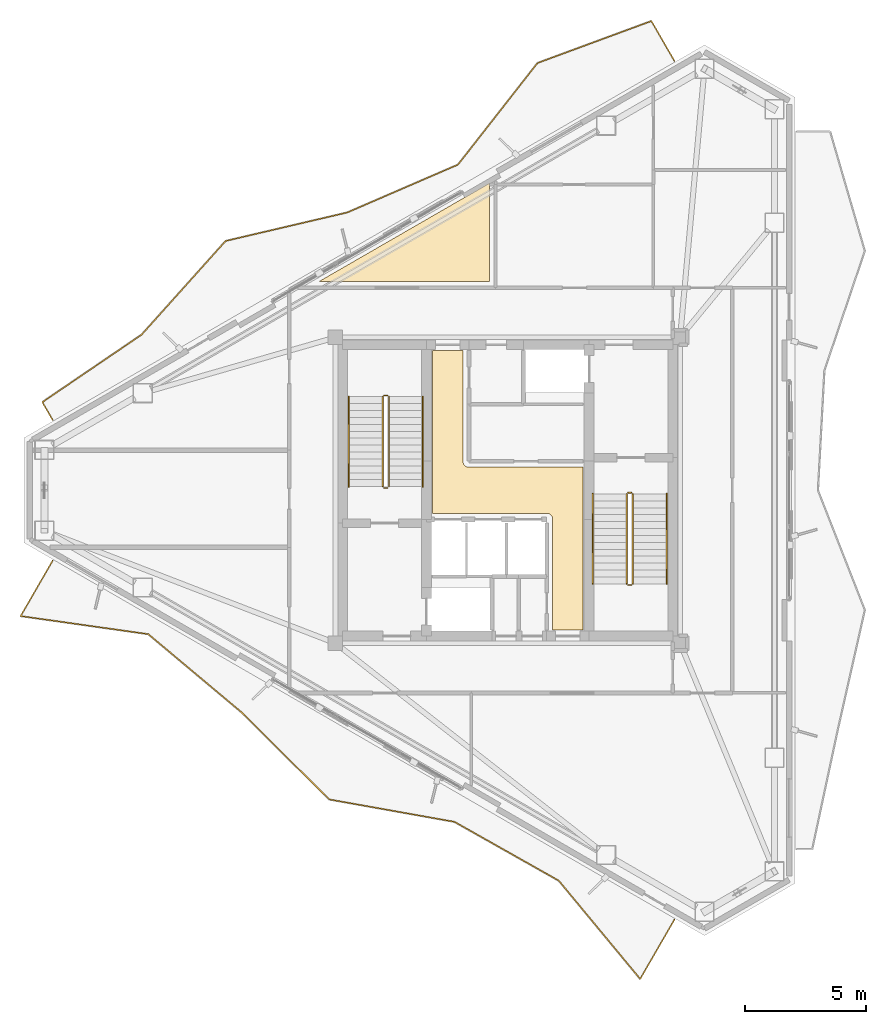
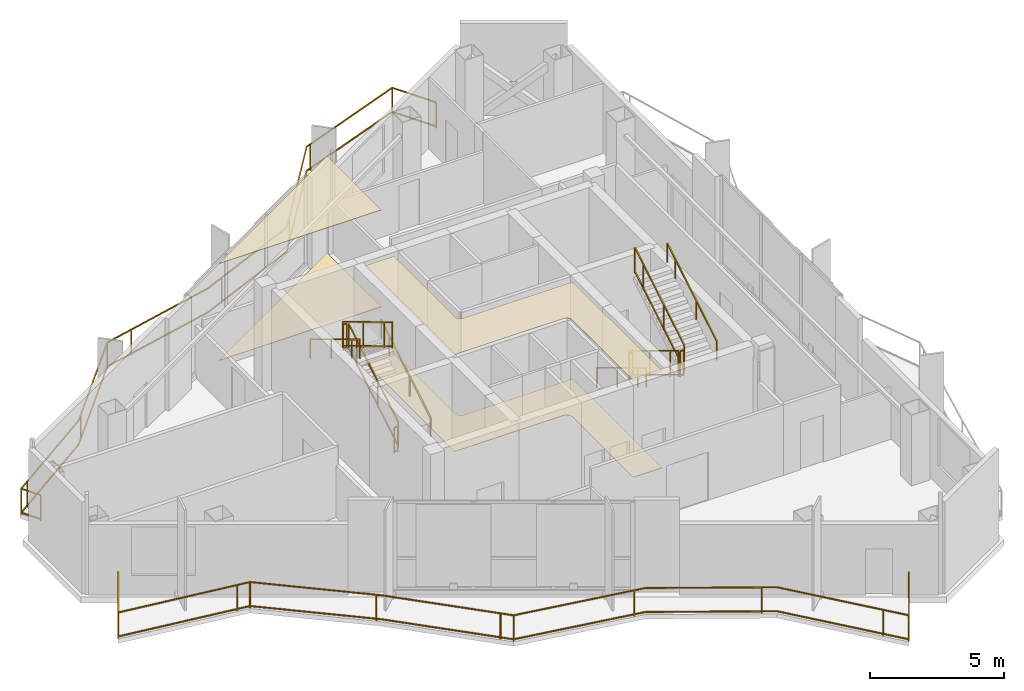
# One storey, part 14 of 15: 14 railings, 4 coverings.
"""IFC4 building model written with IfcOpenShell, lengths in metres."""

from ifc_helpers import new_model, si_unit, direction, frame, origin, origin_2d, place, context, subcontext, project, spatial, polyline, rectangle, outline, extrude, material, layer, layer_set, type_object, element, save


model = new_model("IFC4")

# Units and contexts
model_context = context("Model", 3, precision=1e-05, world=origin(), true_north=direction((0.0, 1.0)))
body_context = subcontext(model_context, "Body", "Model", "MODEL_VIEW")
ifc_project = project(units=[si_unit("LENGTHUNIT", "METRE"), si_unit("AREAUNIT", "SQUARE_METRE"), si_unit("VOLUMEUNIT", "CUBIC_METRE"), si_unit("PLANEANGLEUNIT", "RADIAN"), si_unit("MASSUNIT", "GRAM", prefix="KILO")], contexts=[model_context])

# Site, building, storey
site_placement = place(None, origin())
site = spatial("IfcSite", under=ifc_project, at=site_placement, CompositionType="ELEMENT")
building_placement = place(site_placement, origin())
building = spatial("IfcBuilding", under=site, at=building_placement, Name="Mersakhor Tower and Convention Hall", CompositionType="ELEMENT")
storey_placement = place(building_placement, frame((0.0, 0.0, 218.39990234375)))
storey = spatial("IfcBuildingStorey", under=building, at=storey_placement, Name="L61", CompositionType="ELEMENT", Elevation=218.39990234375)

# Coverings
ifc_material_1 = material(Name="Acoustic mineral-fibre suspended ceiling", Category="other")
ifc_layer_1 = layer(ifc_material_1, 0.02490234375)
ifc_layer_set_1 = layer_set([ifc_layer_1], Name="Acoustic mineral-fibre suspended ceiling")
covering_type_1 = type_object("IfcCoveringType", Name="COV-CLG-25", PredefinedType="CEILING", material=ifc_layer_set_1)
covering_1_placement = place(storey_placement, frame((0.0, 0.0, 4.420166015625)))
element("IfcCovering", 1, at=covering_1_placement, inside=storey, type_object=covering_type_1, Name="L61 Central Passenger Lift Lobby Acoustic Suspended Ceiling", PredefinedType="CEILING", context=body_context, shape_type="SweptSolid", body=[
    extrude(outline(polyline([(30.85009765625, 21.0), (30.85009765625, 25.550048828125), (30.848876953125, 25.574462890625), (30.84521484375, 25.598876953125), (30.839111328125, 25.62255859375), (30.8310546875, 25.645751953125), (30.820556640625, 25.667724609375), (30.807861328125, 25.68896484375), (30.793212890625, 25.70849609375), (30.77685546875, 25.726806640625), (30.758544921875, 25.743408203125), (30.739013671875, 25.7578125), (30.7177734375, 25.7705078125), (30.69580078125, 25.781005859375), (30.672607421875, 25.789306640625), (30.648681640625, 25.795166015625), (30.62451171875, 25.798828125), (30.60009765625, 25.800048828125), (25.89990234375, 25.800048828125), (25.89990234375, 32.5), (27.14990234375, 32.5), (27.14990234375, 27.949951171875), (27.151123046875, 27.925537109375), (27.15478515625, 27.901123046875), (27.160888671875, 27.87744140625), (27.1689453125, 27.854248046875), (27.179443359375, 27.832275390625), (27.192138671875, 27.81103515625), (27.206787109375, 27.79150390625), (27.22314453125, 27.773193359375), (27.241455078125, 27.756591796875), (27.260986328125, 27.7421875), (27.2822265625, 27.7294921875), (27.30419921875, 27.718994140625), (27.327392578125, 27.710693359375), (27.351318359375, 27.704833984375), (27.37548828125, 27.701171875), (27.39990234375, 27.699951171875), (32.10009765625, 27.699951171875), (32.10009765625, 21.0), (30.85009765625, 21.0)])), origin(), (0.0, 0.0, 1.0), 0.02490234375),
])
covering_2_placement = place(storey_placement, frame((0.0, 0.0, 4.420166015625)))
element("IfcCovering", 2, at=covering_2_placement, inside=storey, type_object=covering_type_1, Name="L61 Upper Zone Residents Music and Games Room Acoustic Suspended Ceiling", PredefinedType="CEILING", context=body_context, shape_type="SweptSolid", body=[
    extrude(outline(polyline([(28.25, 39.408935546875), (28.25, 35.35009765625), (21.218994140625, 35.35009765625), (28.25, 39.408935546875)])), origin(), (0.0, 0.0, 1.0), 0.02490234375),
])
ifc_material_2 = material(Name="Polished porcelain tile flooring", Category="other")
ifc_layer_2 = layer(ifc_material_2, 0.02001953125)
ifc_layer_set_2 = layer_set([ifc_layer_2], Name="Polished porcelain tile flooring")
covering_type_2 = type_object("IfcCoveringType", Name="COV-FLR-20", PredefinedType="FLOORING", material=ifc_layer_set_2)
covering_3_placement = place(storey_placement, origin())
element("IfcCovering", 3, at=covering_3_placement, inside=storey, type_object=covering_type_2, Name="L61 Central Passenger Lift Lobby Porcelain Floor Finish", PredefinedType="FLOORING", context=body_context, shape_type="SweptSolid", body=[
    extrude(outline(polyline([(30.85009765625, 21.0), (30.85009765625, 25.550048828125), (30.848876953125, 25.574462890625), (30.84521484375, 25.598876953125), (30.839111328125, 25.62255859375), (30.8310546875, 25.645751953125), (30.820556640625, 25.667724609375), (30.807861328125, 25.68896484375), (30.793212890625, 25.70849609375), (30.77685546875, 25.726806640625), (30.758544921875, 25.743408203125), (30.739013671875, 25.7578125), (30.7177734375, 25.7705078125), (30.69580078125, 25.781005859375), (30.672607421875, 25.789306640625), (30.648681640625, 25.795166015625), (30.62451171875, 25.798828125), (30.60009765625, 25.800048828125), (25.89990234375, 25.800048828125), (25.89990234375, 32.5), (27.14990234375, 32.5), (27.14990234375, 27.949951171875), (27.151123046875, 27.925537109375), (27.15478515625, 27.901123046875), (27.160888671875, 27.87744140625), (27.1689453125, 27.854248046875), (27.179443359375, 27.832275390625), (27.192138671875, 27.81103515625), (27.206787109375, 27.79150390625), (27.22314453125, 27.773193359375), (27.241455078125, 27.756591796875), (27.260986328125, 27.7421875), (27.2822265625, 27.7294921875), (27.30419921875, 27.718994140625), (27.327392578125, 27.710693359375), (27.351318359375, 27.704833984375), (27.37548828125, 27.701171875), (27.39990234375, 27.699951171875), (32.10009765625, 27.699951171875), (32.10009765625, 21.0), (30.85009765625, 21.0)])), origin(), (0.0, 0.0, 1.0), 0.02001953125),
])
covering_4_placement = place(storey_placement, origin())
element("IfcCovering", 4, at=covering_4_placement, inside=storey, type_object=covering_type_2, Name="L61 Upper Zone Residents Music and Games Room Porcelain Floor Finish", PredefinedType="FLOORING", context=body_context, shape_type="SweptSolid", body=[
    extrude(outline(polyline([(28.25, 39.408935546875), (28.25, 35.35009765625), (21.218994140625, 35.35009765625), (28.25, 39.408935546875)])), origin(), (0.0, 0.0, 1.0), 0.02001953125),
])

# Railings
ifc_material_3 = material(Name="Powder-coated galvanised steel and laminated glass balustrade", Category="steel")
railing_type_1 = type_object("IfcRailingType", Name="RL-BAL-1200", PredefinedType="BALUSTRADE", material=ifc_material_3)
railing_1_placement = place(storey_placement, frame((35.86669921875, 44.44189453125, 0.0)))
element("IfcRailing", 5, at=railing_1_placement, inside=storey, type_object=railing_type_1, Name="L61 Sinusoidal Balcony Balustrade F1", PredefinedType="BALUSTRADE", context=body_context, shape_type="SweptSolid", body=[
    extrude(rectangle(XDim=0.048095703125, YDim=0.048095703125, at=origin_2d()), frame((0.0, 0.0, 1.17578125), z_axis=(-0.499975093369, 0.866039783157, 0.0), x_axis=(-0.866039783157, -0.499975093369, 0.0)), (0.0, 0.0, 1.0), 1.89599609375),
    extrude(rectangle(XDim=0.048095703125, YDim=0.048095703125, at=origin_2d()), frame((0.0, 0.0, 0.080078125), z_axis=(-0.499975093369, 0.866039783157, 0.0), x_axis=(-0.866039783157, -0.499975093369, 0.0)), (0.0, 0.0, 1.0), 1.89599609375),
    extrude(rectangle(XDim=0.048095703125, YDim=0.048095703125, at=origin_2d()), frame((-0.947998046875, 1.64208984375, 1.17578125), z_axis=(-0.938307289894, -0.345802587804, 0.0), x_axis=(0.345802587804, -0.938307289894, 0.0)), (0.0, 0.0, 1.0), 5.00341796875),
    extrude(rectangle(XDim=0.048095703125, YDim=0.048095703125, at=origin_2d()), frame((-0.947998046875, 1.64208984375, 0.080078125), z_axis=(-0.938307289894, -0.345802587804, 0.0), x_axis=(0.345802587804, -0.938307289894, 0.0)), (0.0, 0.0, 1.0), 5.00341796875),
    extrude(rectangle(XDim=0.048095703125, YDim=0.048095703125, at=origin_2d()), frame((-5.642822265625, -0.088134765625, 1.17578125), z_axis=(-0.616207963578, -0.787583484859, 0.0), x_axis=(0.787583484859, -0.616207963578, 0.0)), (0.0, 0.0, 1.0), 5.316650390625),
    extrude(rectangle(XDim=0.048095703125, YDim=0.048095703125, at=origin_2d()), frame((-5.642822265625, -0.088134765625, 0.080078125), z_axis=(-0.616207963578, -0.787583484859, 0.0), x_axis=(0.787583484859, -0.616207963578, 0.0)), (0.0, 0.0, 1.0), 5.316650390625),
    extrude(rectangle(XDim=0.048095703125, YDim=0.048095703125, at=origin_2d()), frame((-8.9189453125, -4.275390625, 1.17578125), z_axis=(-0.917927237931, -0.396748769202, 0.0), x_axis=(0.396748769202, -0.917927237931, 0.0)), (0.0, 0.0, 1.0), 4.964111328125),
    extrude(rectangle(XDim=0.048095703125, YDim=0.048095703125, at=origin_2d()), frame((-8.9189453125, -4.275390625, 0.080078125), z_axis=(-0.917927237931, -0.396748769202, 0.0), x_axis=(0.396748769202, -0.917927237931, 0.0)), (0.0, 0.0, 1.0), 4.964111328125),
    extrude(rectangle(XDim=0.048095703125, YDim=0.048095703125, at=origin_2d()), frame((-13.4755859375, -6.244873046875, 1.17578125), z_axis=(-0.973658412064, -0.228011615092, 0.0), x_axis=(0.228011615092, -0.973658412064, 0.0)), (0.0, 0.0, 1.0), 5.1513671875),
    extrude(rectangle(XDim=0.048095703125, YDim=0.048095703125, at=origin_2d()), frame((-13.4755859375, -6.244873046875, 0.080078125), z_axis=(-0.973658412064, -0.228011615092, 0.0), x_axis=(0.228011615092, -0.973658412064, 0.0)), (0.0, 0.0, 1.0), 5.1513671875),
    extrude(rectangle(XDim=0.048095703125, YDim=0.048095703125, at=origin_2d()), frame((-18.4912109375, -7.41943359375, 1.17578125), z_axis=(-0.667614281747, -0.744507334287, 0.0), x_axis=(0.744507334287, -0.667614281747, 0.0)), (0.0, 0.0, 1.0), 5.18798828125),
    extrude(rectangle(XDim=0.048095703125, YDim=0.048095703125, at=origin_2d()), frame((-18.4912109375, -7.41943359375, 0.080078125), z_axis=(-0.667614281747, -0.744507334287, 0.0), x_axis=(0.744507334287, -0.667614281747, 0.0)), (0.0, 0.0, 1.0), 5.18798828125),
    extrude(rectangle(XDim=0.048095703125, YDim=0.048095703125, at=origin_2d()), frame((-21.954833984375, -11.281982421875, 1.17578125), z_axis=(-0.82704863342, -0.562130374521, 0.0), x_axis=(0.562130374521, -0.82704863342, 0.0)), (0.0, 0.0, 1.0), 4.9443359375),
    extrude(rectangle(XDim=0.048095703125, YDim=0.048095703125, at=origin_2d()), frame((-21.954833984375, -11.281982421875, 0.080078125), z_axis=(-0.82704863342, -0.562130374521, 0.0), x_axis=(0.562130374521, -0.82704863342, 0.0)), (0.0, 0.0, 1.0), 4.9443359375),
    extrude(rectangle(XDim=0.048095703125, YDim=0.048095703125, at=origin_2d()), frame((-26.0439453125, -14.061279296875, 1.17578125), z_axis=(0.499964420222, -0.866045944804, 0.0), x_axis=(0.866045944804, 0.499964420222, 0.0)), (0.0, 0.0, 1.0), 0.84423828125),
    extrude(rectangle(XDim=0.048095703125, YDim=0.048095703125, at=origin_2d()), frame((-26.0439453125, -14.061279296875, 0.080078125), z_axis=(0.499964420222, -0.866045944804, 0.0), x_axis=(0.866045944804, 0.499964420222, 0.0)), (0.0, 0.0, 1.0), 0.84423828125),
    extrude(rectangle(XDim=0.0419921875, YDim=0.0419921875, at=origin_2d()), origin(), (0.0, 0.0, 1.0), 1.15185546875),
    extrude(rectangle(XDim=0.0419921875, YDim=0.0419921875, at=origin_2d()), frame((-0.947998046875, 1.64208984375, 0.0)), (0.0, 0.0, 1.0), 1.15185546875),
    extrude(rectangle(XDim=0.0419921875, YDim=0.0419921875, at=origin_2d()), frame((-5.451904296875, -0.017822265625, 0.0)), (0.0, 0.0, 1.0), 1.15185546875),
    extrude(rectangle(XDim=0.0419921875, YDim=0.0419921875, at=origin_2d()), frame((-8.475341796875, -3.708251953125, 0.0)), (0.0, 0.0, 1.0), 1.15185546875),
    extrude(rectangle(XDim=0.0419921875, YDim=0.0419921875, at=origin_2d()), frame((-12.6640625, -5.89404296875, 0.0)), (0.0, 0.0, 1.0), 1.15185546875),
    extrude(rectangle(XDim=0.0419921875, YDim=0.0419921875, at=origin_2d()), frame((-17.288330078125, -7.1376953125, 0.0)), (0.0, 0.0, 1.0), 1.15185546875),
    extrude(rectangle(XDim=0.0419921875, YDim=0.0419921875, at=origin_2d()), frame((-18.4912109375, -7.41943359375, 0.0)), (0.0, 0.0, 1.0), 1.15185546875),
    extrude(rectangle(XDim=0.0419921875, YDim=0.0419921875, at=origin_2d()), frame((-21.69580078125, -10.9931640625, 0.0)), (0.0, 0.0, 1.0), 1.15185546875),
    extrude(rectangle(XDim=0.0419921875, YDim=0.0419921875, at=origin_2d()), frame((-25.603759765625, -13.761962890625, 0.0)), (0.0, 0.0, 1.0), 1.15185546875),
    extrude(rectangle(XDim=0.0419921875, YDim=0.0419921875, at=origin_2d()), frame((-26.0439453125, -14.061279296875, 0.0)), (0.0, 0.0, 1.0), 1.15185546875),
    extrude(rectangle(XDim=0.0419921875, YDim=0.0419921875, at=origin_2d()), frame((-25.621826171875, -14.79248046875, 0.0)), (0.0, 0.0, 1.0), 1.15185546875),
])
railing_2_placement = place(storey_placement, frame((10.244873046875, 23.8505859375, 0.0)))
element("IfcRailing", 6, at=railing_2_placement, inside=storey, type_object=railing_type_1, Name="L61 Sinusoidal Balcony Balustrade F3", PredefinedType="BALUSTRADE", context=body_context, shape_type="SweptSolid", body=[
    extrude(rectangle(XDim=0.048095703125, YDim=0.048095703125, at=origin_2d()), frame((0.0, 0.0, 1.17578125), z_axis=(-0.499984368442, -0.86603442848, 0.0), x_axis=(0.86603442848, -0.499984368442, 0.0)), (0.0, 0.0, 1.0), 2.6357421875),
    extrude(rectangle(XDim=0.048095703125, YDim=0.048095703125, at=origin_2d()), frame((0.0, 0.0, 0.080078125), z_axis=(-0.499984368442, -0.86603442848, 0.0), x_axis=(0.86603442848, -0.499984368442, 0.0)), (0.0, 0.0, 1.0), 2.6357421875),
    extrude(rectangle(XDim=0.048095703125, YDim=0.048095703125, at=origin_2d()), frame((-1.31787109375, -2.28271484375, 1.17578125), z_axis=(0.990114157614, -0.140263875933, 0.0), x_axis=(0.140263875933, 0.990114157614, 0.0)), (0.0, 0.0, 1.0), 5.315673828125),
    extrude(rectangle(XDim=0.048095703125, YDim=0.048095703125, at=origin_2d()), frame((-1.31787109375, -2.28271484375, 0.080078125), z_axis=(0.990114157614, -0.140263875933, 0.0), x_axis=(0.140263875933, 0.990114157614, 0.0)), (0.0, 0.0, 1.0), 5.315673828125),
    extrude(rectangle(XDim=0.048095703125, YDim=0.048095703125, at=origin_2d()), frame((3.9453125, -3.0283203125, 1.17578125), z_axis=(0.766567843744, -0.642163328864, 0.0), x_axis=(0.642163328864, 0.766567843744, 0.0)), (0.0, 0.0, 1.0), 5.00634765625),
    extrude(rectangle(XDim=0.048095703125, YDim=0.048095703125, at=origin_2d()), frame((3.9453125, -3.0283203125, 0.080078125), z_axis=(0.766567843744, -0.642163328864, 0.0), x_axis=(0.642163328864, 0.766567843744, 0.0)), (0.0, 0.0, 1.0), 5.00634765625),
    extrude(rectangle(XDim=0.048095703125, YDim=0.048095703125, at=origin_2d()), frame((7.782958984375, -6.2431640625, 1.17578125), z_axis=(0.709329055901, -0.704877500318, 0.0), x_axis=(0.704877500318, 0.709329055901, 0.0)), (0.0, 0.0, 1.0), 5.1005859375),
    extrude(rectangle(XDim=0.048095703125, YDim=0.048095703125, at=origin_2d()), frame((7.782958984375, -6.2431640625, 0.080078125), z_axis=(0.709329055901, -0.704877500318, 0.0), x_axis=(0.704877500318, 0.709329055901, 0.0)), (0.0, 0.0, 1.0), 5.1005859375),
    extrude(rectangle(XDim=0.048095703125, YDim=0.048095703125, at=origin_2d()), frame((11.40087890625, -9.83837890625, 1.17578125), z_axis=(0.984376302005, -0.176077528521, 0.0), x_axis=(0.176077528521, 0.984376302005, 0.0)), (0.0, 0.0, 1.0), 5.242431640625),
    extrude(rectangle(XDim=0.048095703125, YDim=0.048095703125, at=origin_2d()), frame((11.40087890625, -9.83837890625, 0.080078125), z_axis=(0.984376302005, -0.176077528521, 0.0), x_axis=(0.176077528521, 0.984376302005, 0.0)), (0.0, 0.0, 1.0), 5.242431640625),
    extrude(rectangle(XDim=0.048095703125, YDim=0.048095703125, at=origin_2d()), frame((16.5615234375, -10.761474609375, 1.17578125), z_axis=(0.870983899924, -0.491311557031, 0.0), x_axis=(0.491311557031, 0.870983899924, 0.0)), (0.0, 0.0, 1.0), 4.931396484375),
    extrude(rectangle(XDim=0.048095703125, YDim=0.048095703125, at=origin_2d()), frame((16.5615234375, -10.761474609375, 0.080078125), z_axis=(0.870983899924, -0.491311557031, 0.0), x_axis=(0.491311557031, 0.870983899924, 0.0)), (0.0, 0.0, 1.0), 4.931396484375),
    extrude(rectangle(XDim=0.048095703125, YDim=0.048095703125, at=origin_2d()), frame((20.856689453125, -13.184326171875, 1.17578125), z_axis=(0.637912487539, -0.770108861293, 0.0), x_axis=(0.770108861293, 0.637912487539, 0.0)), (0.0, 0.0, 1.0), 5.259765625),
    extrude(rectangle(XDim=0.048095703125, YDim=0.048095703125, at=origin_2d()), frame((20.856689453125, -13.184326171875, 0.080078125), z_axis=(0.637912487539, -0.770108861293, 0.0), x_axis=(0.770108861293, 0.637912487539, 0.0)), (0.0, 0.0, 1.0), 5.259765625),
    extrude(rectangle(XDim=0.048095703125, YDim=0.048095703125, at=origin_2d()), frame((24.2119140625, -17.23486328125, 1.17578125), z_axis=(0.499947271324, 0.866055844559, 0.0), x_axis=(-0.866055844559, 0.499947271324, 0.0)), (0.0, 0.0, 1.0), 2.820068359375),
    extrude(rectangle(XDim=0.048095703125, YDim=0.048095703125, at=origin_2d()), frame((24.2119140625, -17.23486328125, 0.080078125), z_axis=(0.499947271324, 0.866055844559, 0.0), x_axis=(-0.866055844559, 0.499947271324, 0.0)), (0.0, 0.0, 1.0), 2.820068359375),
    extrude(rectangle(XDim=0.0419921875, YDim=0.0419921875, at=origin_2d()), origin(), (0.0, 0.0, 1.0), 1.15185546875),
    extrude(rectangle(XDim=0.0419921875, YDim=0.0419921875, at=origin_2d()), frame((-1.31787109375, -2.28271484375, 0.0)), (0.0, 0.0, 1.0), 1.15185546875),
    extrude(rectangle(XDim=0.0419921875, YDim=0.0419921875, at=origin_2d()), frame((3.4345703125, -2.9560546875, 0.0)), (0.0, 0.0, 1.0), 1.15185546875),
    extrude(rectangle(XDim=0.0419921875, YDim=0.0419921875, at=origin_2d()), frame((3.9453125, -3.0283203125, 0.0)), (0.0, 0.0, 1.0), 1.15185546875),
    extrude(rectangle(XDim=0.0419921875, YDim=0.0419921875, at=origin_2d()), frame((7.624755859375, -6.110595703125, 0.0)), (0.0, 0.0, 1.0), 1.15185546875),
    extrude(rectangle(XDim=0.0419921875, YDim=0.0419921875, at=origin_2d()), frame((11.04150390625, -9.481201171875, 0.0)), (0.0, 0.0, 1.0), 1.15185546875),
    extrude(rectangle(XDim=0.0419921875, YDim=0.0419921875, at=origin_2d()), frame((11.40087890625, -9.83837890625, 0.0)), (0.0, 0.0, 1.0), 1.15185546875),
    extrude(rectangle(XDim=0.0419921875, YDim=0.0419921875, at=origin_2d()), frame((16.1259765625, -10.68359375, 0.0)), (0.0, 0.0, 1.0), 1.15185546875),
    extrude(rectangle(XDim=0.0419921875, YDim=0.0419921875, at=origin_2d()), frame((20.356689453125, -12.90234375, 0.0)), (0.0, 0.0, 1.0), 1.15185546875),
    extrude(rectangle(XDim=0.0419921875, YDim=0.0419921875, at=origin_2d()), frame((23.552490234375, -16.43896484375, 0.0)), (0.0, 0.0, 1.0), 1.15185546875),
    extrude(rectangle(XDim=0.0419921875, YDim=0.0419921875, at=origin_2d()), frame((24.2119140625, -17.23486328125, 0.0)), (0.0, 0.0, 1.0), 1.15185546875),
    extrude(rectangle(XDim=0.0419921875, YDim=0.0419921875, at=origin_2d()), frame((25.621826171875, -14.79248046875, 0.0)), (0.0, 0.0, 1.0), 1.15185546875),
])
ifc_material_4 = material(Name="Brushed stainless steel handrail", Category="steel")
railing_type_2 = type_object("IfcRailingType", Name="RL-HR-900", PredefinedType="HANDRAIL", material=ifc_material_4)
railing_3_placement = place(storey_placement, frame((25.5, 26.89990234375, 0.171630859375)))
element("IfcRailing", 7, at=railing_3_placement, inside=storey, type_object=railing_type_2, Name="L61 ST-1 stair handrail 1", PredefinedType="HANDRAIL", context=body_context, shape_type="SweptSolid", body=[
    extrude(rectangle(XDim=0.048095703125, YDim=0.048095703125, at=origin_2d()), frame((0.0, 0.0, 0.8759765625), z_axis=(0.0, 0.856934400257, 0.515425487977), x_axis=(-1.0, 0.0, 0.0)), (0.0, 0.0, 1.0), 4.32373046875),
    extrude(rectangle(XDim=0.0419921875, YDim=0.0419921875, at=origin_2d()), origin(), (0.0, 0.0, 1.0), 0.851806640625),
    extrude(rectangle(XDim=0.0419921875, YDim=0.0419921875, at=origin_2d()), frame((0.0, 1.54248046875, 0.927734375)), (0.0, 0.0, 1.0), 0.851806640625),
    extrude(rectangle(XDim=0.0419921875, YDim=0.0419921875, at=origin_2d()), frame((0.0, 3.0849609375, 1.85546875)), (0.0, 0.0, 1.0), 0.851806640625),
    extrude(rectangle(XDim=0.0419921875, YDim=0.0419921875, at=origin_2d()), frame((0.0, 3.705078125, 2.228515625)), (0.0, 0.0, 1.0), 0.851806640625),
])
for number, where, name in (
    (8, (22.449951171875, 30.60498046875, 2.571533203125), "L61 ST-1 stair handrail 2"),
    (9, (32.5, 26.60009765625, 0.171630859375), "L61 ST-2 stair handrail 1"),
):
    element("IfcRailing", number, at=place(storey_placement, frame(where)), inside=storey, type_object=railing_type_2, Name=name, PredefinedType="HANDRAIL", context=body_context, shape_type="SweptSolid", body=[
        extrude(rectangle(XDim=0.048095703125, YDim=0.048095703125, at=origin_2d()), frame((0.0, 0.0, 0.8759765625), z_axis=(0.0, -0.856934400257, 0.515425487977), x_axis=(1.0, 0.0, 0.0)), (0.0, 0.0, 1.0), 4.32373046875),
        extrude(rectangle(XDim=0.0419921875, YDim=0.0419921875, at=origin_2d()), origin(), (0.0, 0.0, 1.0), 0.851806640625),
        extrude(rectangle(XDim=0.0419921875, YDim=0.0419921875, at=origin_2d()), frame((0.0, -1.54248046875, 0.927734375)), (0.0, 0.0, 1.0), 0.851806640625),
        extrude(rectangle(XDim=0.0419921875, YDim=0.0419921875, at=origin_2d()), frame((0.0, -3.0849609375, 1.85546875)), (0.0, 0.0, 1.0), 0.851806640625),
        extrude(rectangle(XDim=0.0419921875, YDim=0.0419921875, at=origin_2d()), frame((0.0, -3.705078125, 2.228515625)), (0.0, 0.0, 1.0), 0.851806640625),
    ])
railing_4_placement = place(storey_placement, frame((35.550048828125, 22.89501953125, 2.571533203125)))
element("IfcRailing", 10, at=railing_4_placement, inside=storey, type_object=railing_type_2, Name="L61 ST-2 stair handrail 2", PredefinedType="HANDRAIL", context=body_context, shape_type="SweptSolid", body=[
    extrude(rectangle(XDim=0.048095703125, YDim=0.048095703125, at=origin_2d()), frame((0.0, 0.0, 0.8759765625), z_axis=(0.0, 0.856934400257, 0.515425487977), x_axis=(-1.0, 0.0, 0.0)), (0.0, 0.0, 1.0), 4.32373046875),
    extrude(rectangle(XDim=0.0419921875, YDim=0.0419921875, at=origin_2d()), origin(), (0.0, 0.0, 1.0), 0.851806640625),
    extrude(rectangle(XDim=0.0419921875, YDim=0.0419921875, at=origin_2d()), frame((0.0, 1.54248046875, 0.927734375)), (0.0, 0.0, 1.0), 0.851806640625),
    extrude(rectangle(XDim=0.0419921875, YDim=0.0419921875, at=origin_2d()), frame((0.0, 3.0849609375, 1.85546875)), (0.0, 0.0, 1.0), 0.851806640625),
    extrude(rectangle(XDim=0.0419921875, YDim=0.0419921875, at=origin_2d()), frame((0.0, 3.705078125, 2.228515625)), (0.0, 0.0, 1.0), 0.851806640625),
])
ifc_material_5 = material(Name="Painted steel stair balustrade S355", Category="steel")
railing_type_3 = type_object("IfcRailingType", Name="RL-STG-1200", PredefinedType="BALUSTRADE", material=ifc_material_5)
railing_5_placement = place(storey_placement, frame((24.10009765625, 26.89990234375, 0.171630859375)))
element("IfcRailing", 11, at=railing_5_placement, inside=storey, type_object=railing_type_3, Name="L61 ST-1 stair guard 1", PredefinedType="BALUSTRADE", context=body_context, shape_type="SweptSolid", body=[
    extrude(rectangle(XDim=0.048095703125, YDim=0.048095703125, at=origin_2d()), frame((0.0, 0.0, 1.17578125), z_axis=(0.0, 0.856934400257, 0.515425487977), x_axis=(-1.0, 0.0, 0.0)), (0.0, 0.0, 1.0), 4.32373046875),
    extrude(rectangle(XDim=0.048095703125, YDim=0.048095703125, at=origin_2d()), frame((0.0, 0.0, 0.080078125), z_axis=(0.0, 0.856934400257, 0.515425487977), x_axis=(-1.0, 0.0, 0.0)), (0.0, 0.0, 1.0), 4.32373046875),
    extrude(rectangle(XDim=0.0419921875, YDim=0.0419921875, at=origin_2d()), origin(), (0.0, 0.0, 1.0), 1.15185546875),
    extrude(rectangle(XDim=0.0419921875, YDim=0.0419921875, at=origin_2d()), frame((0.0, 1.54248046875, 0.927734375)), (0.0, 0.0, 1.0), 1.15185546875),
    extrude(rectangle(XDim=0.0419921875, YDim=0.0419921875, at=origin_2d()), frame((0.0, 3.0849609375, 1.85546875)), (0.0, 0.0, 1.0), 1.15185546875),
    extrude(rectangle(XDim=0.0419921875, YDim=0.0419921875, at=origin_2d()), frame((0.0, 3.705078125, 2.228515625)), (0.0, 0.0, 1.0), 1.15185546875),
])
railing_6_placement = place(storey_placement, frame((24.050048828125, 30.655029296875, 2.400146484375)))
element("IfcRailing", 12, at=railing_6_placement, inside=storey, type_object=railing_type_3, Name="L61 ST-1 stair guard 2", PredefinedType="BALUSTRADE", context=body_context, shape_type="SweptSolid", body=[
    extrude(rectangle(XDim=0.048095703125, YDim=0.048095703125, at=origin_2d()), frame((0.0, 0.0, 1.17578125), z_axis=(-1.0, 0.0, 0.0), x_axis=(0.0, -1.0, 0.0)), (0.0, 0.0, 1.0), 0.150146484375),
    extrude(rectangle(XDim=0.048095703125, YDim=0.048095703125, at=origin_2d()), frame((0.0, 0.0, 0.080078125), z_axis=(-1.0, 0.0, 0.0), x_axis=(0.0, -1.0, 0.0)), (0.0, 0.0, 1.0), 0.150146484375),
    extrude(rectangle(XDim=0.0419921875, YDim=0.0419921875, at=origin_2d()), origin(), (0.0, 0.0, 1.0), 1.15185546875),
    extrude(rectangle(XDim=0.0419921875, YDim=0.0419921875, at=origin_2d()), frame((-0.150146484375, 0.0, 0.0)), (0.0, 0.0, 1.0), 1.15185546875),
])
railing_7_placement = place(storey_placement, frame((23.85009765625, 30.60498046875, 2.571533203125)))
element("IfcRailing", 13, at=railing_7_placement, inside=storey, type_object=railing_type_3, Name="L61 ST-1 stair guard 3", PredefinedType="BALUSTRADE", context=body_context, shape_type="SweptSolid", body=[
    extrude(rectangle(XDim=0.048095703125, YDim=0.048095703125, at=origin_2d()), frame((0.0, 0.0, 1.17578125), z_axis=(0.0, -0.856934400257, 0.515425487977), x_axis=(1.0, 0.0, 0.0)), (0.0, 0.0, 1.0), 4.32373046875),
    extrude(rectangle(XDim=0.048095703125, YDim=0.048095703125, at=origin_2d()), frame((0.0, 0.0, 0.080078125), z_axis=(0.0, -0.856934400257, 0.515425487977), x_axis=(1.0, 0.0, 0.0)), (0.0, 0.0, 1.0), 4.32373046875),
    extrude(rectangle(XDim=0.0419921875, YDim=0.0419921875, at=origin_2d()), origin(), (0.0, 0.0, 1.0), 1.15185546875),
    extrude(rectangle(XDim=0.0419921875, YDim=0.0419921875, at=origin_2d()), frame((0.0, -1.54248046875, 0.927734375)), (0.0, 0.0, 1.0), 1.15185546875),
    extrude(rectangle(XDim=0.0419921875, YDim=0.0419921875, at=origin_2d()), frame((0.0, -3.0849609375, 1.85546875)), (0.0, 0.0, 1.0), 1.15185546875),
    extrude(rectangle(XDim=0.0419921875, YDim=0.0419921875, at=origin_2d()), frame((0.0, -3.705078125, 2.228515625)), (0.0, 0.0, 1.0), 1.15185546875),
])
railing_8_placement = place(storey_placement, frame((24.050048828125, 26.85009765625, 0.0)))
element("IfcRailing", 14, at=railing_8_placement, inside=storey, type_object=railing_type_3, Name="L61 ST-1 stair guard 4", PredefinedType="BALUSTRADE", context=body_context, shape_type="SweptSolid", body=[
    extrude(rectangle(XDim=0.048095703125, YDim=0.048095703125, at=origin_2d()), frame((0.0, 0.0, 1.17578125), z_axis=(-1.0, 0.0, 0.0), x_axis=(0.0, -1.0, 0.0)), (0.0, 0.0, 1.0), 0.150146484375),
    extrude(rectangle(XDim=0.048095703125, YDim=0.048095703125, at=origin_2d()), frame((0.0, 0.0, 0.080078125), z_axis=(-1.0, 0.0, 0.0), x_axis=(0.0, -1.0, 0.0)), (0.0, 0.0, 1.0), 0.150146484375),
    extrude(rectangle(XDim=0.0419921875, YDim=0.0419921875, at=origin_2d()), origin(), (0.0, 0.0, 1.0), 1.15185546875),
    extrude(rectangle(XDim=0.0419921875, YDim=0.0419921875, at=origin_2d()), frame((-0.150146484375, 0.0, 0.0)), (0.0, 0.0, 1.0), 1.15185546875),
])
railing_9_placement = place(storey_placement, frame((33.89990234375, 26.60009765625, 0.171630859375)))
element("IfcRailing", 15, at=railing_9_placement, inside=storey, type_object=railing_type_3, Name="L61 ST-2 stair guard 1", PredefinedType="BALUSTRADE", context=body_context, shape_type="SweptSolid", body=[
    extrude(rectangle(XDim=0.048095703125, YDim=0.048095703125, at=origin_2d()), frame((0.0, 0.0, 1.17578125), z_axis=(0.0, -0.856934400257, 0.515425487977), x_axis=(1.0, 0.0, 0.0)), (0.0, 0.0, 1.0), 4.32373046875),
    extrude(rectangle(XDim=0.048095703125, YDim=0.048095703125, at=origin_2d()), frame((0.0, 0.0, 0.080078125), z_axis=(0.0, -0.856934400257, 0.515425487977), x_axis=(1.0, 0.0, 0.0)), (0.0, 0.0, 1.0), 4.32373046875),
    extrude(rectangle(XDim=0.0419921875, YDim=0.0419921875, at=origin_2d()), origin(), (0.0, 0.0, 1.0), 1.15185546875),
    extrude(rectangle(XDim=0.0419921875, YDim=0.0419921875, at=origin_2d()), frame((0.0, -1.54248046875, 0.927734375)), (0.0, 0.0, 1.0), 1.15185546875),
    extrude(rectangle(XDim=0.0419921875, YDim=0.0419921875, at=origin_2d()), frame((0.0, -3.0849609375, 1.85546875)), (0.0, 0.0, 1.0), 1.15185546875),
    extrude(rectangle(XDim=0.0419921875, YDim=0.0419921875, at=origin_2d()), frame((0.0, -3.705078125, 2.228515625)), (0.0, 0.0, 1.0), 1.15185546875),
])
railing_10_placement = place(storey_placement, frame((33.949951171875, 22.844970703125, 2.400146484375)))
element("IfcRailing", 16, at=railing_10_placement, inside=storey, type_object=railing_type_3, Name="L61 ST-2 stair guard 2", PredefinedType="BALUSTRADE", context=body_context, shape_type="SweptSolid", body=[
    extrude(rectangle(XDim=0.048095703125, YDim=0.048095703125, at=origin_2d()), frame((0.0, 0.0, 1.17578125), z_axis=(1.0, 0.0, 0.0), x_axis=(0.0, 1.0, 0.0)), (0.0, 0.0, 1.0), 0.150146484375),
    extrude(rectangle(XDim=0.048095703125, YDim=0.048095703125, at=origin_2d()), frame((0.0, 0.0, 0.080078125), z_axis=(1.0, 0.0, 0.0), x_axis=(0.0, 1.0, 0.0)), (0.0, 0.0, 1.0), 0.150146484375),
    extrude(rectangle(XDim=0.0419921875, YDim=0.0419921875, at=origin_2d()), origin(), (0.0, 0.0, 1.0), 1.15185546875),
    extrude(rectangle(XDim=0.0419921875, YDim=0.0419921875, at=origin_2d()), frame((0.150146484375, 0.0, 0.0)), (0.0, 0.0, 1.0), 1.15185546875),
])
railing_11_placement = place(storey_placement, frame((34.14990234375, 22.89501953125, 2.571533203125)))
element("IfcRailing", 17, at=railing_11_placement, inside=storey, type_object=railing_type_3, Name="L61 ST-2 stair guard 3", PredefinedType="BALUSTRADE", context=body_context, shape_type="SweptSolid", body=[
    extrude(rectangle(XDim=0.048095703125, YDim=0.048095703125, at=origin_2d()), frame((0.0, 0.0, 1.17578125), z_axis=(0.0, 0.856934400257, 0.515425487977), x_axis=(-1.0, 0.0, 0.0)), (0.0, 0.0, 1.0), 4.32373046875),
    extrude(rectangle(XDim=0.048095703125, YDim=0.048095703125, at=origin_2d()), frame((0.0, 0.0, 0.080078125), z_axis=(0.0, 0.856934400257, 0.515425487977), x_axis=(-1.0, 0.0, 0.0)), (0.0, 0.0, 1.0), 4.32373046875),
    extrude(rectangle(XDim=0.0419921875, YDim=0.0419921875, at=origin_2d()), origin(), (0.0, 0.0, 1.0), 1.15185546875),
    extrude(rectangle(XDim=0.0419921875, YDim=0.0419921875, at=origin_2d()), frame((0.0, 1.54248046875, 0.927734375)), (0.0, 0.0, 1.0), 1.15185546875),
    extrude(rectangle(XDim=0.0419921875, YDim=0.0419921875, at=origin_2d()), frame((0.0, 3.0849609375, 1.85546875)), (0.0, 0.0, 1.0), 1.15185546875),
    extrude(rectangle(XDim=0.0419921875, YDim=0.0419921875, at=origin_2d()), frame((0.0, 3.705078125, 2.228515625)), (0.0, 0.0, 1.0), 1.15185546875),
])
railing_12_placement = place(storey_placement, frame((33.949951171875, 26.64990234375, 0.0)))
element("IfcRailing", 18, at=railing_12_placement, inside=storey, type_object=railing_type_3, Name="L61 ST-2 stair guard 4", PredefinedType="BALUSTRADE", context=body_context, shape_type="SweptSolid", body=[
    extrude(rectangle(XDim=0.048095703125, YDim=0.048095703125, at=origin_2d()), frame((0.0, 0.0, 1.17578125), z_axis=(1.0, 0.0, 0.0), x_axis=(0.0, 1.0, 0.0)), (0.0, 0.0, 1.0), 0.150146484375),
    extrude(rectangle(XDim=0.048095703125, YDim=0.048095703125, at=origin_2d()), frame((0.0, 0.0, 0.080078125), z_axis=(1.0, 0.0, 0.0), x_axis=(0.0, 1.0, 0.0)), (0.0, 0.0, 1.0), 0.150146484375),
    extrude(rectangle(XDim=0.0419921875, YDim=0.0419921875, at=origin_2d()), origin(), (0.0, 0.0, 1.0), 1.15185546875),
    extrude(rectangle(XDim=0.0419921875, YDim=0.0419921875, at=origin_2d()), frame((0.150146484375, 0.0, 0.0)), (0.0, 0.0, 1.0), 1.15185546875),
])

save(model, "model.ifc")
